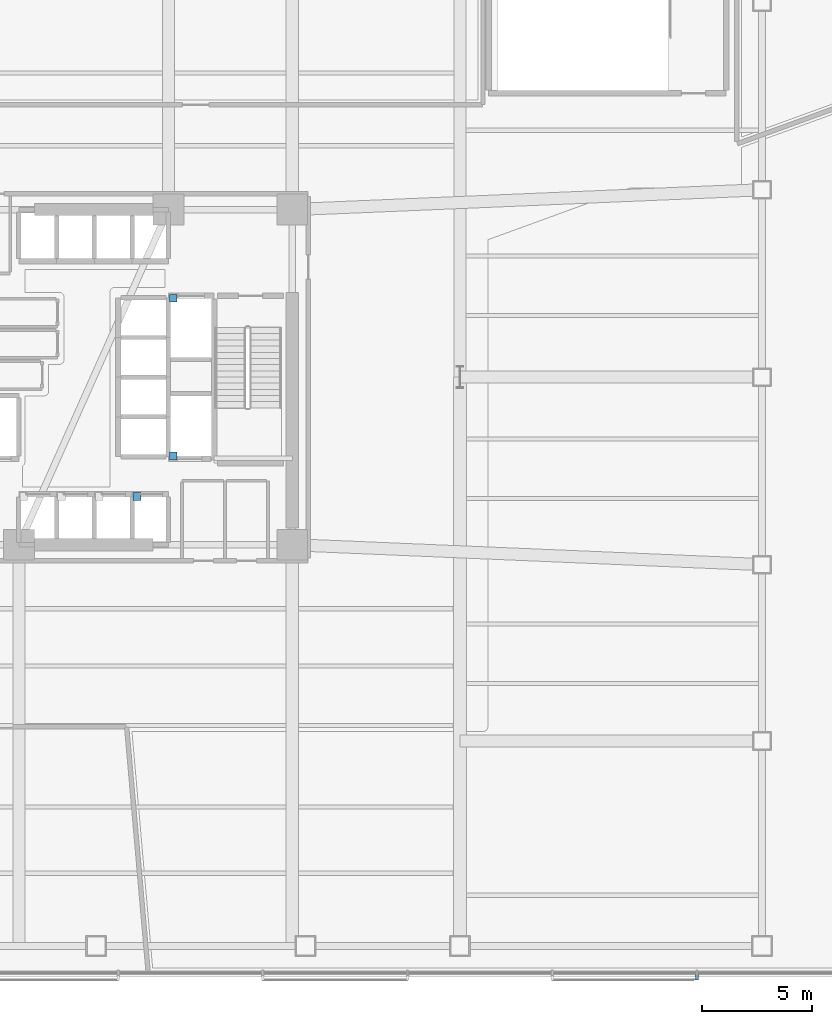
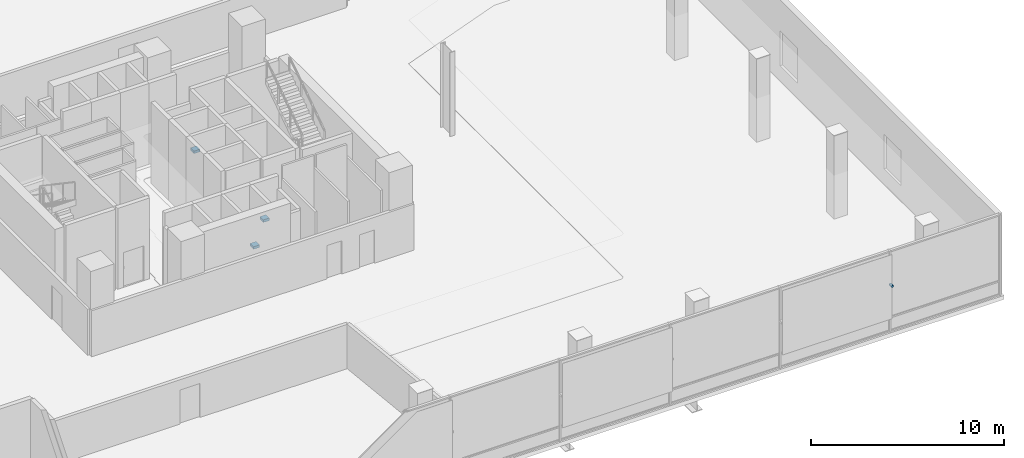
# One storey, part 16 of 19: 4 discrete accessories.
"""IFC4 building model written with IfcOpenShell, lengths in metres."""

from ifc_helpers import new_model, si_unit, direction, frame, origin, origin_2d, place, context, subcontext, project, spatial, rectangle, extrude, material, type_object, element, save


model = new_model("IFC4")

# Units and contexts
model_context = context("Model", 3, precision=1e-05, world=origin(), true_north=direction((0.0, 1.0)))
body_context = subcontext(model_context, "Body", "Model", "MODEL_VIEW")
ifc_project = project(units=[si_unit("LENGTHUNIT", "METRE"), si_unit("AREAUNIT", "SQUARE_METRE"), si_unit("VOLUMEUNIT", "CUBIC_METRE"), si_unit("PLANEANGLEUNIT", "RADIAN"), si_unit("MASSUNIT", "GRAM", prefix="KILO")], contexts=[model_context])

# Site, building, storey
site_placement = place(None, origin())
site = spatial("IfcSite", under=ifc_project, at=site_placement, CompositionType="ELEMENT")
building_placement = place(site_placement, origin())
building = spatial("IfcBuilding", under=site, at=building_placement, Name="Tharavind Bronze Gate", CompositionType="ELEMENT")
storey_placement = place(building_placement, frame((0.0, 0.0, 26.5)))
storey = spatial("IfcBuildingStorey", under=building, at=storey_placement, Name="L05", CompositionType="ELEMENT", Elevation=26.5)

# Discrete accessories
ifc_material_1 = material(Name="Galvanised Steel S355", Category="steel")
discrete_accessory_type_1 = type_object("IfcDiscreteAccessoryType", Name="LIFT GUIDE RAIL BRACKET", PredefinedType="BRACKET", material=ifc_material_1)
for number, where, z_axis, x_axis, name in (
    (1, (1.857421875, -5.419921875, 1.1201171875), (0.0, 0.0, 1.0), (1.0, 0.0, 0.0), "Lift PL4 guide rail bracket at L05"),
    (2, (3.5, 3.580078125, 1.1201171875), (0.0, 0.0, 1.0), (1.0, 0.0, 0.0), "Lift FFL2 guide rail bracket at L05"),
    (3, (3.5, -3.580078125, 1.1201171875), (0.0, 0.0, 1.0), (1.0, 0.0, 0.0), "Lift SVL1 guide rail bracket at L05"),
):
    element("IfcDiscreteAccessory", number, at=place(storey_placement, frame(where, z_axis=z_axis, x_axis=x_axis)), inside=storey, type_object=discrete_accessory_type_1, Name=name, PredefinedType="BRACKET", context=body_context, shape_type="SweptSolid", body=[
        extrude(rectangle(XDim=0.360107421875, YDim=0.360107421875, at=origin_2d()), origin(), (0.0, 0.0, 1.0), 0.159912109375),
    ])
ifc_material_2 = material(Name="Stainless Steel 316", Category="steel")
discrete_accessory_type_2 = type_object("IfcDiscreteAccessoryType", Name="SOLAR SCREEN STANDOFF BRACKET", PredefinedType="BRACKET", material=ifc_material_2)
discrete_accessory_placement = place(storey_placement, frame((27.256103515625, -27.219970703125, 2.9423828125), z_axis=(0.0, 0.0, 1.0), x_axis=(1.0, 0.0, 0.0)))
element("IfcDiscreteAccessory", 4, at=discrete_accessory_placement, inside=storey, type_object=discrete_accessory_type_2, Name="CW-L05-S1 solar screen bracket 9.2", PredefinedType="BRACKET", context=body_context, shape_type="SweptSolid", body=[
    extrude(rectangle(XDim=0.1201171875, YDim=0.239990234375, at=origin_2d()), origin(), (0.0, 0.0, 1.0), 0.1201171875),
])

save(model, "model.ifc")
